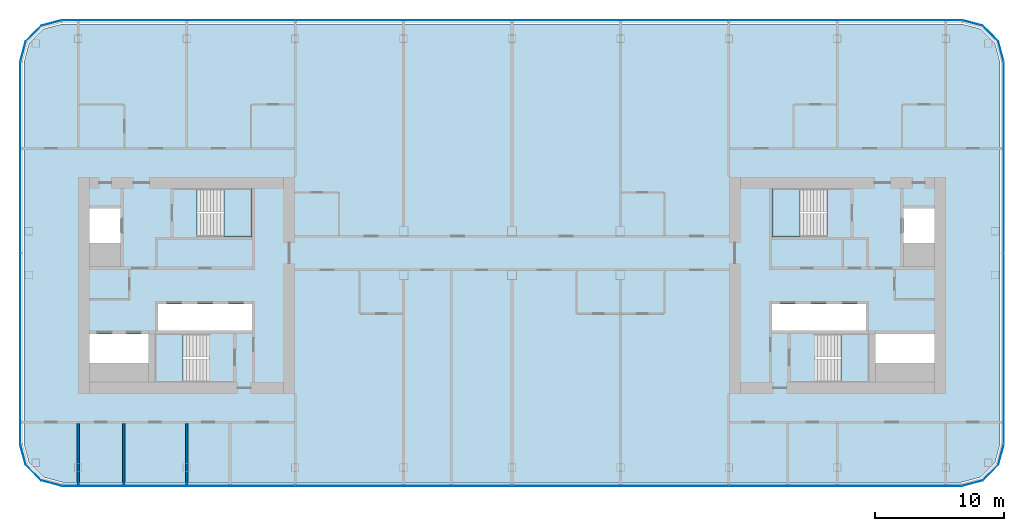
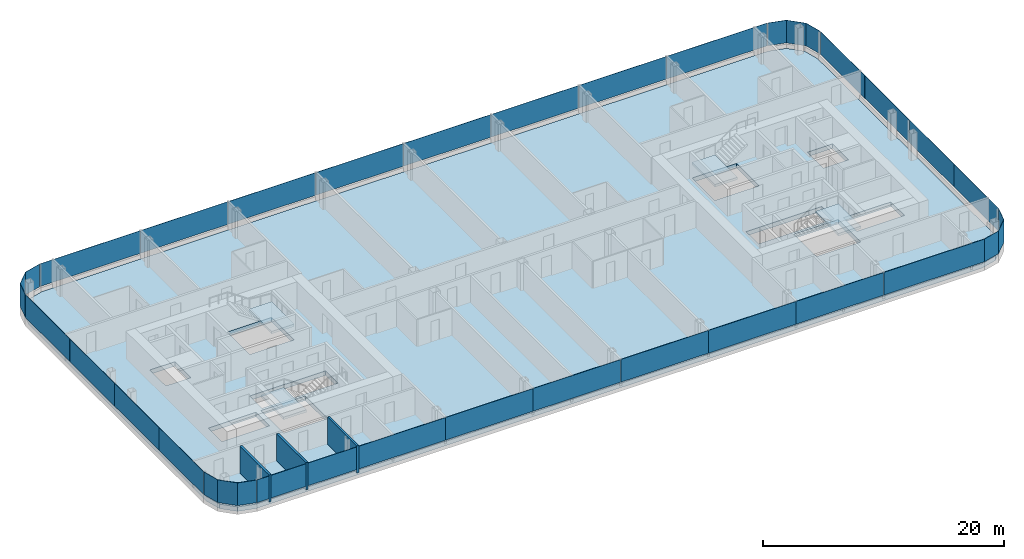
# One storey, part 12 of 25: 28 plates, 5 slabs, 3 walls, 12 elements without a shape of their own.
"""IFC4 building model written with IfcOpenShell, lengths in metres."""

import ifcopenshell
import ifcopenshell.guid

model = None  # the IFC model being written
_history = None  # IfcOwnerHistory: only IFC2X3 demands one
_inside = {}  # id of a spatial element -> (the spatial element, [elements in it])
_under = {}  # id of a project, library or spatial element -> (it, [spatial elements below it])
_declared = {}  # id of a project -> (the project, [libraries it declares])
_typed = {}  # id of a type object -> (the type object, [elements of that type])
_made_of = {}  # id of a material, layer set ... -> (it, [elements and type objects made of it])


def new_model(schema):
    """Start an empty IFC model of exactly this schema.

    Asked for "IFC4X3", IfcOpenShell would pick the latest addendum, in which some entities
    have other attributes; the version numbers below select the first issue.
    IFC2X3 requires an IfcOwnerHistory on every rooted entity: one is made here for all.
    """
    global model, _history
    if schema == "IFC4X3":
        model = ifcopenshell.file(schema_version=(4, 3, 0, 0))
    else:
        model = ifcopenshell.file(schema=schema)
    _inside.clear()
    _under.clear()
    _declared.clear()
    _typed.clear()
    _made_of.clear()
    _history = None
    if model.schema == "IFC2X3":
        org = make("IfcOrganization", Name="unknown")
        user = make(
            "IfcPersonAndOrganization",
            ThePerson=make("IfcPerson", FamilyName="unknown"),
            TheOrganization=org,
        )
        app = make(
            "IfcApplication",
            ApplicationDeveloper=org,
            Version="unknown",
            ApplicationFullName="unknown",
            ApplicationIdentifier="unknown",
        )
        _history = make(
            "IfcOwnerHistory",
            OwningUser=user,
            OwningApplication=app,
            ChangeAction="ADDED",
            CreationDate=0,
        )
    return model


def make(cls, **values):
    """One entity of the class cls with the attributes given. An attribute that is None is left unset."""
    return model.create_entity(
        cls, **{name: value for name, value in values.items() if value is not None}
    )


def rooted(cls, **values):
    """An entity with a GlobalId (a new one), such as an element, a storey or a relation."""
    return make(cls, GlobalId=ifcopenshell.guid.new(), OwnerHistory=_history, **values)


def si_unit(unit_type, name, prefix=None):
    """IfcSIUnit, for example si_unit("LENGTHUNIT", "METRE", prefix="MILLI")."""
    return make("IfcSIUnit", UnitType=unit_type, Prefix=prefix, Name=name)


def assignment(units):
    """IfcUnitAssignment: the units of a project."""
    return None if units is None else make("IfcUnitAssignment", Units=units)


def point(xyz):
    """IfcCartesianPoint."""
    return None if xyz is None else make("IfcCartesianPoint", Coordinates=xyz)


def direction(xyz):
    """IfcDirection."""
    return None if xyz is None else make("IfcDirection", DirectionRatios=xyz)


def frame(location, z_axis=None, x_axis=None):
    """IfcAxis2Placement3D, a coordinate frame: its origin and axes. An axis left out is left unset."""
    return make(
        "IfcAxis2Placement3D",
        Location=point(location),
        Axis=direction(z_axis),
        RefDirection=direction(x_axis),
    )


def frame_2d(location, x_axis=None):
    """IfcAxis2Placement2D, a coordinate frame in the plane: its origin and x axis."""
    return make(
        "IfcAxis2Placement2D", Location=point(location), RefDirection=direction(x_axis)
    )


def origin():
    """The frame at (0, 0, 0) with its axes left unset."""
    return frame((0.0, 0.0, 0.0))


def origin_2d():
    """The frame at (0, 0) in the plane with its x axis left unset."""
    return frame_2d((0.0, 0.0))


def place(relative_to, where):
    """IfcLocalPlacement: puts the frame where relative to a parent placement (None: the world)."""
    return make(
        "IfcLocalPlacement", PlacementRelTo=relative_to, RelativePlacement=where
    )


def context(
    kind, dimensions, precision=None, world=None, true_north=None, identifier=None
):
    """IfcGeometricRepresentationContext, for example the 3D "Model" context."""
    return make(
        "IfcGeometricRepresentationContext",
        ContextIdentifier=identifier,
        ContextType=kind,
        CoordinateSpaceDimension=dimensions,
        Precision=precision,
        WorldCoordinateSystem=world,
        TrueNorth=true_north,
    )


def subcontext(parent, identifier, kind, view, scale=None):
    """IfcGeometricRepresentationSubContext, for example "Body" below "Model"."""
    return make(
        "IfcGeometricRepresentationSubContext",
        ContextIdentifier=identifier,
        ContextType=kind,
        ParentContext=parent,
        TargetScale=scale,
        TargetView=view,
    )


def project(units=None, contexts=None):
    """IfcProject with its units and contexts."""
    return rooted(
        "IfcProject",
        Name="project",
        RepresentationContexts=contexts,
        UnitsInContext=assignment(units),
    )


def spatial(cls, under=None, at=None, **own):
    """A site, building, storey or space (cls), placed at a placement, below another one or the project."""
    s = rooted(cls, ObjectPlacement=at, **own)
    if under is not None:
        _under.setdefault(under.id(), (under, []))[1].append(s)
    return s


def polyline(points):
    """IfcPolyline through the points."""
    return make("IfcPolyline", Points=[point(p) for p in points])


def profile(cls, at=None, kind="AREA", **sizes):
    """A parametric profile (cls). Its sizes go by their IFC names, for example OverallWidth=200.0."""
    return make(cls, ProfileType=kind, Position=at, **sizes)


def rectangle(**sizes):
    """IfcRectangleProfileDef."""
    return profile("IfcRectangleProfileDef", **sizes)


def outline(outer, holes=None, kind="AREA"):
    """IfcArbitraryClosedProfileDef: a profile drawn as a closed curve; with holes, ...WithVoids."""
    if holes is None:
        return make("IfcArbitraryClosedProfileDef", ProfileType=kind, OuterCurve=outer)
    return make(
        "IfcArbitraryProfileDefWithVoids",
        ProfileType=kind,
        OuterCurve=outer,
        InnerCurves=holes,
    )


def extrude(swept, where, along, depth):
    """IfcExtrudedAreaSolid: the profile swept, set in the frame where, extruded along a direction by depth."""
    return make(
        "IfcExtrudedAreaSolid",
        SweptArea=swept,
        Position=where,
        ExtrudedDirection=direction(along),
        Depth=depth,
    )


def shape(context_of_items, identifier, shape_type, items):
    """IfcShapeRepresentation: the items that make up one representation, for example the "Body"."""
    return make(
        "IfcShapeRepresentation",
        ContextOfItems=context_of_items,
        RepresentationIdentifier=identifier,
        RepresentationType=shape_type,
        Items=items,
    )


def material(Name=None, Category=None):
    """IfcMaterial."""
    return make("IfcMaterial", Name=Name, Category=Category)


def layer(
    of_material, thickness, ventilated=None, Name=None, Category=None, Priority=None
):
    """IfcMaterialLayer: one layer of a wall or slab, of a material (None: an air gap)."""
    return make(
        "IfcMaterialLayer",
        Material=of_material,
        LayerThickness=thickness,
        IsVentilated=ventilated,
        Name=Name,
        Category=Category,
        Priority=Priority,
    )


def layer_set(layers, Name=None):
    """IfcMaterialLayerSet."""
    return make("IfcMaterialLayerSet", MaterialLayers=layers, LayerSetName=Name)


def made_of(thing, what):
    """Note that an element or type object is made of a material, layer set ...; save() writes the relation."""
    if what is not None:
        _made_of.setdefault(what.id(), (what, []))[1].append(thing)
    return thing


def type_object(cls, material=None, **own):
    """A type object (cls), such as IfcWallType, which elements share."""
    return made_of(rooted(cls, **own), material)


def element(
    cls,
    number,
    at=None,
    inside=None,
    cuts=None,
    type_object=None,
    material=None,
    context=None,
    identifier="Body",
    shape_type=None,
    held_by="IfcProductDefinitionShape",
    body=None,
    shapes=None,
    **own,
):
    """One element of the class cls, such as IfcWall. Its Tag is "e" and its number.

    at: its placement. inside: the storey or other place that contains it. cuts: it is an
    opening in that element (IfcRelVoidsElement). A single representation is given by context,
    identifier, shape_type and body (its items); several are given by shapes. held_by: the class
    of the entity that holds the representations. save() writes the other relations.
    """
    e = rooted(cls, Tag="e%d" % number, ObjectPlacement=at, **own)
    if body is not None:
        shapes = [shape(context, identifier, shape_type, body)]
    if shapes is not None:
        e.Representation = make(held_by, Representations=shapes)
    if inside is not None:
        _inside.setdefault(inside.id(), (inside, []))[1].append(e)
    if cuts is not None:
        rooted(
            "IfcRelVoidsElement", RelatingBuildingElement=cuts, RelatedOpeningElement=e
        )
    if type_object is not None:
        _typed.setdefault(type_object.id(), (type_object, []))[1].append(e)
    return made_of(e, material)


def aggregate(whole, parts):
    """IfcRelAggregates: a whole, such as a stair, and the parts it consists of."""
    return rooted("IfcRelAggregates", RelatingObject=whole, RelatedObjects=parts)


def save(model, path):
    """Write the relations noted so far, then the file.

    IfcRelAggregates (storeys below a building ...), IfcRelContainedInSpatialStructure (elements
    in a storey), IfcRelDefinesByType, IfcRelAssociatesMaterial and IfcRelDeclares: one each for
    every whole, place, type object, material and project.
    """
    for whole, parts in _under.values():
        aggregate(whole, parts)
    for where, things in _inside.values():
        rooted(
            "IfcRelContainedInSpatialStructure",
            RelatedElements=things,
            RelatingStructure=where,
        )
    for kind, things in _typed.values():
        rooted("IfcRelDefinesByType", RelatedObjects=things, RelatingType=kind)
    for what, things in _made_of.values():
        rooted("IfcRelAssociatesMaterial", RelatedObjects=things, RelatingMaterial=what)
    for by, libraries in _declared.values():
        rooted("IfcRelDeclares", RelatingContext=by, RelatedDefinitions=libraries)
    model.write(path)


model = new_model("IFC4")

# Units and contexts
model_context = context("Model", 3, precision=1e-05, world=origin(), true_north=direction((0.0, 1.0)))
body_context = subcontext(model_context, "Body", "Model", "MODEL_VIEW")
ifc_project = project(units=[si_unit("LENGTHUNIT", "METRE"), si_unit("AREAUNIT", "SQUARE_METRE"), si_unit("VOLUMEUNIT", "CUBIC_METRE"), si_unit("PLANEANGLEUNIT", "RADIAN"), si_unit("MASSUNIT", "GRAM", prefix="KILO")], contexts=[model_context])

# Site, building, storey
site_placement = place(None, origin())
site = spatial("IfcSite", under=ifc_project, at=site_placement, CompositionType="ELEMENT")
building_placement = place(site_placement, origin())
building = spatial("IfcBuilding", under=site, at=building_placement, Name="Hakoniwa Tower and Hamabe Station Hall", CompositionType="ELEMENT")
storey_placement = place(building_placement, frame((0.0, 0.0, 202.60009765625)))
storey = spatial("IfcBuildingStorey", under=building, at=storey_placement, Name="L57", CompositionType="ELEMENT", Elevation=202.60009765625)

# Stair, slab
ifc_material_1 = material(Name="Concrete C40", Category="concrete")
stair_type = type_object("IfcStairType", Name="ESCAPE STAIR 1800", PredefinedType="HALF_TURN_STAIR", material=ifc_material_1)
stair_1_placement = place(storey_placement, origin())
stair_1 = element("IfcStair", 1, at=stair_1_placement, inside=storey, type_object=stair_type, Name="Escape stair ST-1 L57", PredefinedType="HALF_TURN_STAIR")
ifc_material_2 = material(Name="Concrete C40", Category="concrete")
ifc_layer_1 = layer(ifc_material_2, 0.25)
ifc_layer_set_1 = layer_set([ifc_layer_1], Name="CORE STAIR LANDING 250")
slab_type_1 = type_object("IfcSlabType", Name="CORE STAIR LANDING 250", PredefinedType="LANDING", material=ifc_layer_set_1)
slab_1_placement = place(storey_placement, frame((0.0, 0.0, 1.349853515625)))
slab_1 = element("IfcSlab", 2, at=slab_1_placement, type_object=slab_type_1, Name="ST-1 landing 1", PredefinedType="LANDING", context=body_context, shape_type="SweptSolid", body=[
    extrude(outline(polyline([(-22.320068359375, 3.75), (-20.14990234375, 3.75), (-20.14990234375, 7.5), (-22.320068359375, 7.5), (-22.320068359375, 3.75)])), origin(), (0.0, 0.0, 1.0), 0.25),
])
aggregate(stair_1, [slab_1])

stair_2_placement = place(storey_placement, origin())
stair_2 = element("IfcStair", 3, at=stair_2_placement, inside=storey, type_object=stair_type, Name="Escape stair ST-2 L57", PredefinedType="HALF_TURN_STAIR")
slab_2_placement = place(storey_placement, frame((0.0, 0.0, 1.349853515625)))
slab_2 = element("IfcSlab", 4, at=slab_2_placement, type_object=slab_type_1, Name="ST-2 landing 1", PredefinedType="LANDING", context=body_context, shape_type="SweptSolid", body=[
    extrude(outline(polyline([(-25.47998046875, -7.5), (-27.64990234375, -7.5), (-27.64990234375, -3.75), (-25.47998046875, -3.75), (-25.47998046875, -7.5)])), origin(), (0.0, 0.0, 1.0), 0.25),
])
aggregate(stair_2, [slab_2])

stair_3_placement = place(storey_placement, origin())
stair_3 = element("IfcStair", 5, at=stair_3_placement, inside=storey, type_object=stair_type, Name="Escape stair ST-3 L57", PredefinedType="HALF_TURN_STAIR")
slab_3_placement = place(storey_placement, frame((0.0, 0.0, 1.349853515625)))
slab_3 = element("IfcSlab", 6, at=slab_3_placement, type_object=slab_type_1, Name="ST-3 landing 1", PredefinedType="LANDING", context=body_context, shape_type="SweptSolid", body=[
    extrude(outline(polyline([(22.320068359375, 3.75), (20.14990234375, 3.75), (20.14990234375, 7.5), (22.320068359375, 7.5), (22.320068359375, 3.75)])), origin(), (0.0, 0.0, 1.0), 0.25),
])
aggregate(stair_3, [slab_3])

stair_4_placement = place(storey_placement, origin())
stair_4 = element("IfcStair", 7, at=stair_4_placement, inside=storey, type_object=stair_type, Name="Escape stair ST-4 L57", PredefinedType="HALF_TURN_STAIR")
slab_4_placement = place(storey_placement, frame((0.0, 0.0, 1.349853515625)))
slab_4 = element("IfcSlab", 8, at=slab_4_placement, type_object=slab_type_1, Name="ST-4 landing 1", PredefinedType="LANDING", context=body_context, shape_type="SweptSolid", body=[
    extrude(outline(polyline([(25.47998046875, -7.5), (27.64990234375, -7.5), (27.64990234375, -3.75), (25.47998046875, -3.75), (25.47998046875, -7.5)])), origin(), (0.0, 0.0, 1.0), 0.25),
])
aggregate(stair_4, [slab_4])

# Curtain wall, plates
ifc_material_3 = material(Name="Dark low-e laminated glass", Category="glass")
ifc_layer_2 = layer(ifc_material_3, 0.199951171875)
ifc_layer_set_2 = layer_set([ifc_layer_2], Name="CW-1 UNITISED GUEST")
curtain_wall_type = type_object("IfcCurtainWallType", Name="CW-1 UNITISED GUEST", PredefinedType="NOTDEFINED", material=ifc_layer_set_2)
curtain_wall_1_placement = place(storey_placement, origin())
curtain_wall_1 = element("IfcCurtainWall", 9, at=curtain_wall_1_placement, inside=storey, type_object=curtain_wall_type, Name="CW-1 curtain wall", PredefinedType="NOTDEFINED")
ifc_material_4 = material(Name="Dark low-e laminated glass", Category="glass")
ifc_layer_3 = layer(ifc_material_4, 0.028076171875)
ifc_layer_set_3 = layer_set([ifc_layer_3], Name="CW-1 GLASS UNIT")
plate_type = type_object("IfcPlateType", Name="CW-1 GLASS UNIT", PredefinedType="CURTAIN_PANEL", material=ifc_layer_set_3)
plate_1_placement = place(storey_placement, frame((38.0859375, -8.592041015625, 0.35009765625), z_axis=(0.0, 0.0, 1.0), x_axis=(0.0, 1.0, 0.0)))
plate_1 = element("IfcPlate", 10, at=plate_1_placement, type_object=plate_type, Name="CW-1 glass unit", PredefinedType="CURTAIN_PANEL", context=body_context, shape_type="SweptSolid", body=[
    extrude(rectangle(XDim=7.374755859375, YDim=0.028076171875, at=origin_2d()), origin(), (0.0, 0.0, 1.0), 2.300048828125),
])
plate_2_placement = place(storey_placement, frame((38.0859375, -1.197265625, 0.35009765625), z_axis=(0.0, 0.0, 1.0), x_axis=(0.0, 1.0, 0.0)))
plate_2 = element("IfcPlate", 11, at=plate_2_placement, type_object=plate_type, Name="CW-1 glass unit", PredefinedType="CURTAIN_PANEL", context=body_context, shape_type="SweptSolid", body=[
    extrude(rectangle(XDim=7.374755859375, YDim=0.028076171875, at=origin_2d()), origin(), (0.0, 0.0, 1.0), 2.300048828125),
])
plate_3_placement = place(storey_placement, frame((38.0859375, 6.197265625, 0.35009765625), z_axis=(0.0, 0.0, 1.0), x_axis=(0.0, 1.0, 0.0)))
plate_3 = element("IfcPlate", 12, at=plate_3_placement, type_object=plate_type, Name="CW-1 glass unit", PredefinedType="CURTAIN_PANEL", context=body_context, shape_type="SweptSolid", body=[
    extrude(rectangle(XDim=7.374755859375, YDim=0.028076171875, at=origin_2d()), origin(), (0.0, 0.0, 1.0), 2.300048828125),
])
plate_4_placement = place(storey_placement, frame((38.0859375, 13.592041015625, 0.35009765625), z_axis=(0.0, 0.0, 1.0), x_axis=(0.0, 1.0, 0.0)))
plate_4 = element("IfcPlate", 13, at=plate_4_placement, type_object=plate_type, Name="CW-1 glass unit", PredefinedType="CURTAIN_PANEL", context=body_context, shape_type="SweptSolid", body=[
    extrude(rectangle(XDim=7.374755859375, YDim=0.028076171875, at=origin_2d()), origin(), (0.0, 0.0, 1.0), 2.300048828125),
])
aggregate(curtain_wall_1, [plate_1, plate_2, plate_3, plate_4])

# Curtain wall, plate
curtain_wall_2_placement = place(storey_placement, origin())
curtain_wall_2 = element("IfcCurtainWall", 14, at=curtain_wall_2_placement, inside=storey, type_object=curtain_wall_type, Name="CW-1 curtain wall", PredefinedType="NOTDEFINED")
plate_5_placement = place(storey_placement, frame((0.0, 0.0, 0.349853515625)))
plate_5 = element("IfcPlate", 15, at=plate_5_placement, type_object=plate_type, Name="CW-1 curved corner unit", PredefinedType="CURTAIN_PANEL", context=body_context, shape_type="SweptSolid", body=[
    extrude(outline(polyline([(38.089599609375, 17.328125), (37.6669921875, 18.9052734375), (36.455322265625, 20.116943359375), (34.878173828125, 20.53955078125), (34.870849609375, 20.5126953125), (36.44091796875, 20.092041015625), (37.641845703125, 18.890869140625), (38.0625, 17.32080078125), (38.089599609375, 17.328125)])), origin(), (0.0, 0.0, 1.0), 2.300048828125),
])
aggregate(curtain_wall_2, [plate_5])

# Curtain wall, plates
curtain_wall_3_placement = place(storey_placement, origin())
curtain_wall_3 = element("IfcCurtainWall", 16, at=curtain_wall_3_placement, inside=storey, type_object=curtain_wall_type, Name="CW-1 curtain wall", PredefinedType="NOTDEFINED")
plate_6_placement = place(storey_placement, frame((30.019775390625, 20.535888671875, 0.35009765625), z_axis=(0.0, 0.0, 1.0), x_axis=(-1.0, 0.0, 0.0)))
plate_6 = element("IfcPlate", 17, at=plate_6_placement, type_object=plate_type, Name="CW-1 glass unit", PredefinedType="CURTAIN_PANEL", context=body_context, shape_type="SweptSolid", body=[
    extrude(rectangle(XDim=9.619384765625, YDim=0.028076171875, at=origin_2d()), origin(), (0.0, 0.0, 1.0), 2.300048828125),
])
plate_7_placement = place(storey_placement, frame((21.0, 20.535888671875, 0.35009765625), z_axis=(0.0, 0.0, 1.0), x_axis=(-1.0, 0.0, 0.0)))
plate_7 = element("IfcPlate", 18, at=plate_7_placement, type_object=plate_type, Name="CW-1 glass unit", PredefinedType="CURTAIN_PANEL", context=body_context, shape_type="SweptSolid", body=[
    extrude(rectangle(XDim=8.3798828125, YDim=0.028076171875, at=origin_2d()), origin(), (0.0, 0.0, 1.0), 2.300048828125),
])
plate_8_placement = place(storey_placement, frame((12.60009765625, 20.535888671875, 0.35009765625), z_axis=(0.0, 0.0, 1.0), x_axis=(-1.0, 0.0, 0.0)))
plate_8 = element("IfcPlate", 19, at=plate_8_placement, type_object=plate_type, Name="CW-1 glass unit", PredefinedType="CURTAIN_PANEL", context=body_context, shape_type="SweptSolid", body=[
    extrude(rectangle(XDim=8.3798828125, YDim=0.028076171875, at=origin_2d()), origin(), (0.0, 0.0, 1.0), 2.300048828125),
])
plate_9_placement = place(storey_placement, frame((4.199951171875, 20.535888671875, 0.35009765625), z_axis=(0.0, 0.0, 1.0), x_axis=(-1.0, 0.0, 0.0)))
plate_9 = element("IfcPlate", 20, at=plate_9_placement, type_object=plate_type, Name="CW-1 glass unit", PredefinedType="CURTAIN_PANEL", context=body_context, shape_type="SweptSolid", body=[
    extrude(rectangle(XDim=8.3798828125, YDim=0.028076171875, at=origin_2d()), origin(), (0.0, 0.0, 1.0), 2.300048828125),
])
plate_10_placement = place(storey_placement, frame((-4.199951171875, 20.535888671875, 0.35009765625), z_axis=(0.0, 0.0, 1.0), x_axis=(-1.0, 0.0, 0.0)))
plate_10 = element("IfcPlate", 21, at=plate_10_placement, type_object=plate_type, Name="CW-1 glass unit", PredefinedType="CURTAIN_PANEL", context=body_context, shape_type="SweptSolid", body=[
    extrude(rectangle(XDim=8.3798828125, YDim=0.028076171875, at=origin_2d()), origin(), (0.0, 0.0, 1.0), 2.300048828125),
])
plate_11_placement = place(storey_placement, frame((-12.60009765625, 20.535888671875, 0.35009765625), z_axis=(0.0, 0.0, 1.0), x_axis=(-1.0, 0.0, 0.0)))
plate_11 = element("IfcPlate", 22, at=plate_11_placement, type_object=plate_type, Name="CW-1 glass unit", PredefinedType="CURTAIN_PANEL", context=body_context, shape_type="SweptSolid", body=[
    extrude(rectangle(XDim=8.3798828125, YDim=0.028076171875, at=origin_2d()), origin(), (0.0, 0.0, 1.0), 2.300048828125),
])
plate_12_placement = place(storey_placement, frame((-21.0, 20.535888671875, 0.35009765625), z_axis=(0.0, 0.0, 1.0), x_axis=(-1.0, 0.0, 0.0)))
plate_12 = element("IfcPlate", 23, at=plate_12_placement, type_object=plate_type, Name="CW-1 glass unit", PredefinedType="CURTAIN_PANEL", context=body_context, shape_type="SweptSolid", body=[
    extrude(rectangle(XDim=8.3798828125, YDim=0.028076171875, at=origin_2d()), origin(), (0.0, 0.0, 1.0), 2.300048828125),
])
plate_13_placement = place(storey_placement, frame((-30.019775390625, 20.535888671875, 0.35009765625), z_axis=(0.0, 0.0, 1.0), x_axis=(-1.0, 0.0, 0.0)))
plate_13 = element("IfcPlate", 24, at=plate_13_placement, type_object=plate_type, Name="CW-1 glass unit", PredefinedType="CURTAIN_PANEL", context=body_context, shape_type="SweptSolid", body=[
    extrude(rectangle(XDim=9.619384765625, YDim=0.028076171875, at=origin_2d()), origin(), (0.0, 0.0, 1.0), 2.300048828125),
])
aggregate(curtain_wall_3, [plate_6, plate_7, plate_8, plate_9, plate_10, plate_11, plate_12, plate_13])

# Curtain wall, plate
curtain_wall_4_placement = place(storey_placement, origin())
curtain_wall_4 = element("IfcCurtainWall", 25, at=curtain_wall_4_placement, inside=storey, type_object=curtain_wall_type, Name="CW-1 curtain wall", PredefinedType="NOTDEFINED")
plate_14_placement = place(storey_placement, frame((0.0, 0.0, 0.349853515625)))
plate_14 = element("IfcPlate", 26, at=plate_14_placement, type_object=plate_type, Name="CW-1 curved corner unit", PredefinedType="CURTAIN_PANEL", context=body_context, shape_type="SweptSolid", body=[
    extrude(outline(polyline([(-34.878173828125, 20.53955078125), (-36.455322265625, 20.116943359375), (-37.6669921875, 18.9052734375), (-38.089599609375, 17.328125), (-38.0625, 17.32080078125), (-37.641845703125, 18.890869140625), (-36.44091796875, 20.092041015625), (-34.870849609375, 20.5126953125), (-34.878173828125, 20.53955078125)])), origin(), (0.0, 0.0, 1.0), 2.300048828125),
])
aggregate(curtain_wall_4, [plate_14])

# Curtain wall, plates
curtain_wall_5_placement = place(storey_placement, origin())
curtain_wall_5 = element("IfcCurtainWall", 27, at=curtain_wall_5_placement, inside=storey, type_object=curtain_wall_type, Name="CW-1 curtain wall", PredefinedType="NOTDEFINED")
plate_15_placement = place(storey_placement, frame((-38.0859375, 13.592041015625, 0.35009765625), z_axis=(0.0, 0.0, 1.0), x_axis=(0.0, -1.0, 0.0)))
plate_15 = element("IfcPlate", 28, at=plate_15_placement, type_object=plate_type, Name="CW-1 glass unit", PredefinedType="CURTAIN_PANEL", context=body_context, shape_type="SweptSolid", body=[
    extrude(rectangle(XDim=7.374755859375, YDim=0.028076171875, at=origin_2d()), origin(), (0.0, 0.0, 1.0), 2.300048828125),
])
plate_16_placement = place(storey_placement, frame((-38.0859375, 6.197265625, 0.35009765625), z_axis=(0.0, 0.0, 1.0), x_axis=(0.0, -1.0, 0.0)))
plate_16 = element("IfcPlate", 29, at=plate_16_placement, type_object=plate_type, Name="CW-1 glass unit", PredefinedType="CURTAIN_PANEL", context=body_context, shape_type="SweptSolid", body=[
    extrude(rectangle(XDim=7.374755859375, YDim=0.028076171875, at=origin_2d()), origin(), (0.0, 0.0, 1.0), 2.300048828125),
])
plate_17_placement = place(storey_placement, frame((-38.0859375, -1.197265625, 0.35009765625), z_axis=(0.0, 0.0, 1.0), x_axis=(0.0, -1.0, 0.0)))
plate_17 = element("IfcPlate", 30, at=plate_17_placement, type_object=plate_type, Name="CW-1 glass unit", PredefinedType="CURTAIN_PANEL", context=body_context, shape_type="SweptSolid", body=[
    extrude(rectangle(XDim=7.374755859375, YDim=0.028076171875, at=origin_2d()), origin(), (0.0, 0.0, 1.0), 2.300048828125),
])
plate_18_placement = place(storey_placement, frame((-38.0859375, -8.592041015625, 0.35009765625), z_axis=(0.0, 0.0, 1.0), x_axis=(0.0, -1.0, 0.0)))
plate_18 = element("IfcPlate", 31, at=plate_18_placement, type_object=plate_type, Name="CW-1 glass unit", PredefinedType="CURTAIN_PANEL", context=body_context, shape_type="SweptSolid", body=[
    extrude(rectangle(XDim=7.374755859375, YDim=0.028076171875, at=origin_2d()), origin(), (0.0, 0.0, 1.0), 2.300048828125),
])
aggregate(curtain_wall_5, [plate_15, plate_16, plate_17, plate_18])

# Curtain wall, plate
curtain_wall_6_placement = place(storey_placement, origin())
curtain_wall_6 = element("IfcCurtainWall", 32, at=curtain_wall_6_placement, inside=storey, type_object=curtain_wall_type, Name="CW-1 curtain wall", PredefinedType="NOTDEFINED")
plate_19_placement = place(storey_placement, frame((0.0, 0.0, 0.349853515625)))
plate_19 = element("IfcPlate", 33, at=plate_19_placement, type_object=plate_type, Name="CW-1 curved corner unit", PredefinedType="CURTAIN_PANEL", context=body_context, shape_type="SweptSolid", body=[
    extrude(outline(polyline([(-38.089599609375, -12.328125), (-37.6669921875, -13.9052734375), (-36.455322265625, -15.116943359375), (-34.878173828125, -15.53955078125), (-34.870849609375, -15.5126953125), (-36.44091796875, -15.092041015625), (-37.641845703125, -13.890869140625), (-38.0625, -12.32080078125), (-38.089599609375, -12.328125)])), origin(), (0.0, 0.0, 1.0), 2.300048828125),
])
aggregate(curtain_wall_6, [plate_19])

# Curtain wall, plates
curtain_wall_7_placement = place(storey_placement, origin())
curtain_wall_7 = element("IfcCurtainWall", 34, at=curtain_wall_7_placement, inside=storey, type_object=curtain_wall_type, Name="CW-1 curtain wall", PredefinedType="NOTDEFINED")
plate_20_placement = place(storey_placement, frame((-30.019775390625, -15.535888671875, 0.35009765625), z_axis=(0.0, 0.0, 1.0), x_axis=(1.0, 0.0, 0.0)))
plate_20 = element("IfcPlate", 35, at=plate_20_placement, type_object=plate_type, Name="CW-1 glass unit", PredefinedType="CURTAIN_PANEL", context=body_context, shape_type="SweptSolid", body=[
    extrude(rectangle(XDim=9.619384765625, YDim=0.028076171875, at=origin_2d()), origin(), (0.0, 0.0, 1.0), 2.300048828125),
])
plate_21_placement = place(storey_placement, frame((-21.0, -15.535888671875, 0.35009765625), z_axis=(0.0, 0.0, 1.0), x_axis=(1.0, 0.0, 0.0)))
plate_21 = element("IfcPlate", 36, at=plate_21_placement, type_object=plate_type, Name="CW-1 glass unit", PredefinedType="CURTAIN_PANEL", context=body_context, shape_type="SweptSolid", body=[
    extrude(rectangle(XDim=8.3798828125, YDim=0.028076171875, at=origin_2d()), origin(), (0.0, 0.0, 1.0), 2.300048828125),
])
plate_22_placement = place(storey_placement, frame((-12.60009765625, -15.535888671875, 0.35009765625), z_axis=(0.0, 0.0, 1.0), x_axis=(1.0, 0.0, 0.0)))
plate_22 = element("IfcPlate", 37, at=plate_22_placement, type_object=plate_type, Name="CW-1 glass unit", PredefinedType="CURTAIN_PANEL", context=body_context, shape_type="SweptSolid", body=[
    extrude(rectangle(XDim=8.3798828125, YDim=0.028076171875, at=origin_2d()), origin(), (0.0, 0.0, 1.0), 2.300048828125),
])
plate_23_placement = place(storey_placement, frame((-4.199951171875, -15.535888671875, 0.35009765625), z_axis=(0.0, 0.0, 1.0), x_axis=(1.0, 0.0, 0.0)))
plate_23 = element("IfcPlate", 38, at=plate_23_placement, type_object=plate_type, Name="CW-1 glass unit", PredefinedType="CURTAIN_PANEL", context=body_context, shape_type="SweptSolid", body=[
    extrude(rectangle(XDim=8.3798828125, YDim=0.028076171875, at=origin_2d()), origin(), (0.0, 0.0, 1.0), 2.300048828125),
])
plate_24_placement = place(storey_placement, frame((4.199951171875, -15.535888671875, 0.35009765625), z_axis=(0.0, 0.0, 1.0), x_axis=(1.0, 0.0, 0.0)))
plate_24 = element("IfcPlate", 39, at=plate_24_placement, type_object=plate_type, Name="CW-1 glass unit", PredefinedType="CURTAIN_PANEL", context=body_context, shape_type="SweptSolid", body=[
    extrude(rectangle(XDim=8.3798828125, YDim=0.028076171875, at=origin_2d()), origin(), (0.0, 0.0, 1.0), 2.300048828125),
])
plate_25_placement = place(storey_placement, frame((12.60009765625, -15.535888671875, 0.35009765625), z_axis=(0.0, 0.0, 1.0), x_axis=(1.0, 0.0, 0.0)))
plate_25 = element("IfcPlate", 40, at=plate_25_placement, type_object=plate_type, Name="CW-1 glass unit", PredefinedType="CURTAIN_PANEL", context=body_context, shape_type="SweptSolid", body=[
    extrude(rectangle(XDim=8.3798828125, YDim=0.028076171875, at=origin_2d()), origin(), (0.0, 0.0, 1.0), 2.300048828125),
])
plate_26_placement = place(storey_placement, frame((21.0, -15.535888671875, 0.35009765625), z_axis=(0.0, 0.0, 1.0), x_axis=(1.0, 0.0, 0.0)))
plate_26 = element("IfcPlate", 41, at=plate_26_placement, type_object=plate_type, Name="CW-1 glass unit", PredefinedType="CURTAIN_PANEL", context=body_context, shape_type="SweptSolid", body=[
    extrude(rectangle(XDim=8.3798828125, YDim=0.028076171875, at=origin_2d()), origin(), (0.0, 0.0, 1.0), 2.300048828125),
])
plate_27_placement = place(storey_placement, frame((30.019775390625, -15.535888671875, 0.35009765625), z_axis=(0.0, 0.0, 1.0), x_axis=(1.0, 0.0, 0.0)))
plate_27 = element("IfcPlate", 42, at=plate_27_placement, type_object=plate_type, Name="CW-1 glass unit", PredefinedType="CURTAIN_PANEL", context=body_context, shape_type="SweptSolid", body=[
    extrude(rectangle(XDim=9.619384765625, YDim=0.028076171875, at=origin_2d()), origin(), (0.0, 0.0, 1.0), 2.300048828125),
])
aggregate(curtain_wall_7, [plate_20, plate_21, plate_22, plate_23, plate_24, plate_25, plate_26, plate_27])

# Curtain wall, plate
curtain_wall_8_placement = place(storey_placement, origin())
curtain_wall_8 = element("IfcCurtainWall", 43, at=curtain_wall_8_placement, inside=storey, type_object=curtain_wall_type, Name="CW-1 curtain wall", PredefinedType="NOTDEFINED")
plate_28_placement = place(storey_placement, frame((0.0, 0.0, 0.349853515625)))
plate_28 = element("IfcPlate", 44, at=plate_28_placement, type_object=plate_type, Name="CW-1 curved corner unit", PredefinedType="CURTAIN_PANEL", context=body_context, shape_type="SweptSolid", body=[
    extrude(outline(polyline([(34.878173828125, -15.53955078125), (36.455322265625, -15.116943359375), (37.6669921875, -13.9052734375), (38.089599609375, -12.328125), (38.0625, -12.32080078125), (37.641845703125, -13.890869140625), (36.44091796875, -15.092041015625), (34.870849609375, -15.5126953125), (34.878173828125, -15.53955078125)])), origin(), (0.0, 0.0, 1.0), 2.300048828125),
])
aggregate(curtain_wall_8, [plate_28])

# Slab
ifc_material_5 = material(Name="Concrete C42", Category="concrete")
ifc_layer_4 = layer(ifc_material_5, 0.449951171875)
ifc_layer_set_4 = layer_set([ifc_layer_4], Name="PT FLAT PLATE 450")
slab_type_2 = type_object("IfcSlabType", Name="PT FLAT PLATE 450", PredefinedType="FLOOR", material=ifc_layer_set_4)
slab_5_placement = place(storey_placement, frame((0.0, 0.0, -0.4501953125)))
element("IfcSlab", 45, at=slab_5_placement, inside=storey, type_object=slab_type_2, Name="Floor slab L57", PredefinedType="FLOOR", context=body_context, shape_type="SweptSolid", body=[
    extrude(outline(polyline([(37.800048828125, -12.25), (37.800048828125, 17.25), (37.398193359375, 18.75), (36.300048828125, 19.84814453125), (34.800048828125, 20.25), (-34.800048828125, 20.25), (-36.300048828125, 19.84814453125), (-37.398193359375, 18.75), (-37.800048828125, 17.25), (-37.800048828125, -12.25), (-37.398193359375, -13.75), (-36.300048828125, -14.84814453125), (-34.800048828125, -15.25), (34.800048828125, -15.25), (36.300048828125, -14.84814453125), (37.398193359375, -13.75), (37.800048828125, -12.25)]), holes=[polyline([(-27.39990234375, -3.5), (-27.39990234375, -1.449951171875), (-20.14990234375, -1.449951171875), (-20.14990234375, -3.5), (-27.39990234375, -3.5)]), polyline([(-32.699951171875, 3.300048828125), (-32.699951171875, 5.949951171875), (-30.300048828125, 5.949951171875), (-30.300048828125, 3.300048828125), (-32.699951171875, 3.300048828125)]), polyline([(-32.699951171875, -6.0), (-32.699951171875, -3.75), (-28.14990234375, -3.75), (-28.14990234375, -6.0), (-32.699951171875, -6.0)]), polyline([(-24.389892578125, 3.75), (-24.389892578125, 7.5), (-20.14990234375, 7.5), (-20.14990234375, 3.75), (-24.389892578125, 3.75)]), polyline([(-27.64990234375, -7.5), (-27.64990234375, -3.75), (-23.409912109375, -3.75), (-23.409912109375, -7.5), (-27.64990234375, -7.5)]), polyline([(20.14990234375, -3.5), (20.14990234375, -1.449951171875), (27.39990234375, -1.449951171875), (27.39990234375, -3.5), (20.14990234375, -3.5)]), polyline([(30.300048828125, 3.300048828125), (30.300048828125, 5.949951171875), (32.699951171875, 5.949951171875), (32.699951171875, 3.300048828125), (30.300048828125, 3.300048828125)]), polyline([(28.14990234375, -6.0), (28.14990234375, -3.75), (32.699951171875, -3.75), (32.699951171875, -6.0), (28.14990234375, -6.0)]), polyline([(20.14990234375, 3.75), (20.14990234375, 7.5), (24.389892578125, 7.5), (24.389892578125, 3.75), (20.14990234375, 3.75)]), polyline([(23.409912109375, -7.5), (23.409912109375, -3.75), (27.64990234375, -3.75), (27.64990234375, -7.5), (23.409912109375, -7.5)])]), origin(), (0.0, 0.0, 1.0), 0.4501953125),
])

# Walls
ifc_material_6 = material(Name="Fire-rated gypsum board partition", Category="gypsum")
ifc_layer_5 = layer(ifc_material_6, 0.199951171875)
ifc_layer_set_5 = layer_set([ifc_layer_5], Name="Party Wall 200")
wall_type = type_object("IfcWallType", Name="Party Wall 200", PredefinedType="PARTITIONING", material=ifc_layer_set_5)
for number, where, z_axis, x_axis, name in (
    (46, (-33.60009765625, -15.550048828125, 0.0), (0.0, 0.0, 1.0), (0.0, 1.0, 0.0), "GW-L57-015"),
    (47, (-30.070068359375, -15.550048828125, 0.0), (0.0, 0.0, 1.0), (0.0, 1.0, 0.0), "GW-L57-017"),
    (48, (-25.199951171875, -15.550048828125, 0.0), (0.0, 0.0, 1.0), (0.0, 1.0, 0.0), "GW-L57-019"),
):
    element("IfcWall", number, at=place(storey_placement, frame(where, z_axis=z_axis, x_axis=x_axis)), inside=storey, type_object=wall_type, Name=name, PredefinedType="PARTITIONING", context=body_context, shape_type="SweptSolid", body=[
        extrude(rectangle(XDim=4.85009765625, YDim=0.199951171875, at=frame_2d((2.425048828125, 0.0))), origin(), (0.0, 0.0, 1.0), 2.75),
    ])

save(model, "model.ifc")
